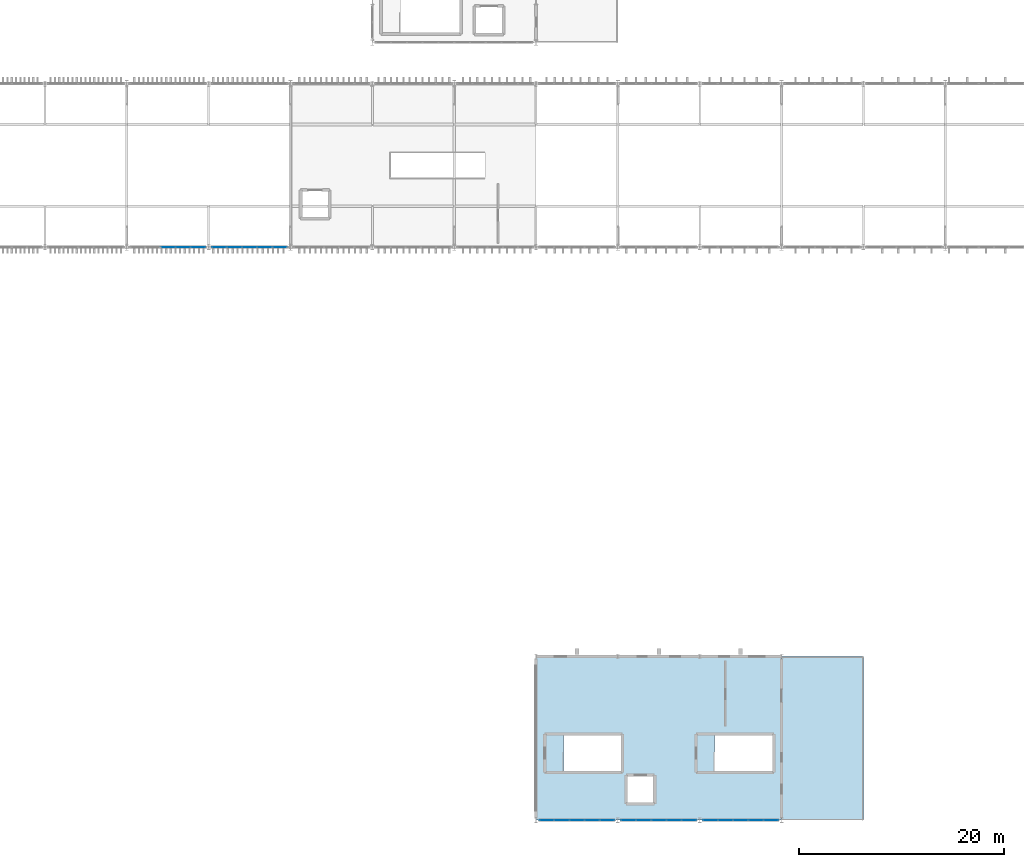
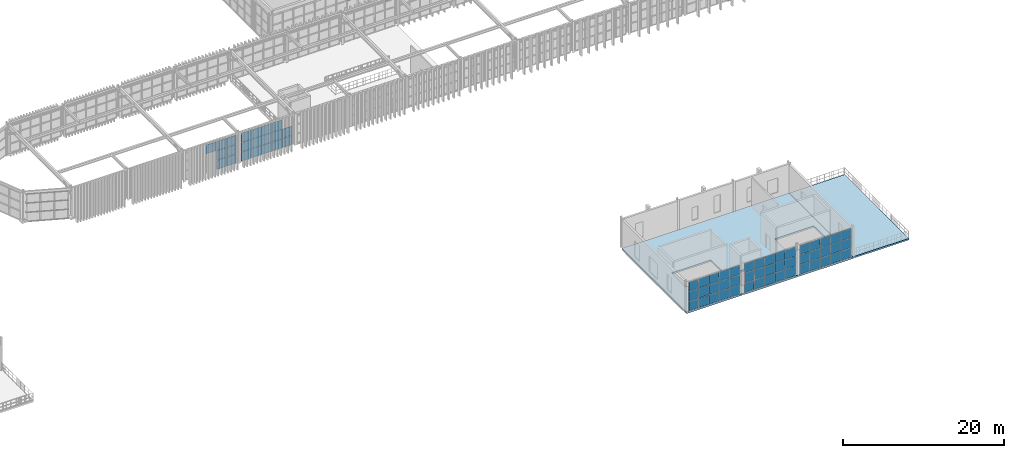
# One storey, part 37 of 61: 66 plates, 2 slabs, 5 elements without a shape of their own.
"""IFC4 building model written with IfcOpenShell, lengths in metres."""

from ifc_helpers import new_model, si_unit, direction, frame, origin, origin_2d, place, context, subcontext, project, spatial, polyline, rectangle, outline, extrude, material, layer, layer_set, type_object, element, aggregate, save


model = new_model("IFC4")

# Units and contexts
model_context = context("Model", 3, precision=1e-05, world=origin(), true_north=direction((0.0, 1.0)))
body_context = subcontext(model_context, "Body", "Model", "MODEL_VIEW")
ifc_project = project(units=[si_unit("LENGTHUNIT", "METRE"), si_unit("AREAUNIT", "SQUARE_METRE"), si_unit("VOLUMEUNIT", "CUBIC_METRE"), si_unit("PLANEANGLEUNIT", "RADIAN"), si_unit("MASSUNIT", "GRAM", prefix="KILO")], contexts=[model_context])

# Site, building, storey
site_placement = place(None, origin())
site = spatial("IfcSite", under=ifc_project, at=site_placement, CompositionType="ELEMENT")
building_placement = place(site_placement, origin())
building = spatial("IfcBuilding", under=site, at=building_placement, Name="Serraluz Foothill Cableway Terminal", CompositionType="ELEMENT")
storey_placement = place(building_placement, frame((0.0, 0.0, 15.0)))
storey = spatial("IfcBuildingStorey", under=building, at=storey_placement, Name="L03", CompositionType="ELEMENT", Elevation=15.0)

# Curtain wall, plates
ifc_material_1 = material(Name="Architectural bronze alloy C28000", Category="aluminium")
curtain_wall_type_1 = type_object("IfcCurtainWallType", Name="TYP-CW-680X420", PredefinedType="NOTDEFINED", material=ifc_material_1)
curtain_wall_1_placement = place(storey_placement, origin())
curtain_wall_1 = element("IfcCurtainWall", 1, at=curtain_wall_1_placement, inside=storey, type_object=curtain_wall_type_1, Name="Ribbed Glazed Curtain Wall CW-V3S-L03-96", PredefinedType="NOTDEFINED")
ifc_material_2 = material(Name="Laminated low-E safety glass", Category="glass")
ifc_layer_1 = layer(ifc_material_2, 0.031982421875, Name="Laminated low-E safety glass", Category="glass")
ifc_layer_set_1 = layer_set([ifc_layer_1], Name="Laminated low-E safety glass")
plate_type_1 = type_object("IfcPlateType", Name="TYP-CW-PNL-32", PredefinedType="CURTAIN_PANEL", material=ifc_layer_set_1)
plate_1_placement = place(storey_placement, frame((102.959716796875, 0.0, 0.06005859375), z_axis=(0.0, 0.0, 1.0), x_axis=(-1.0, 0.0, 0.0)))
plate_1 = element("IfcPlate", 2, at=plate_1_placement, type_object=plate_type_1, Name="CW-13 panel 1.1", PredefinedType="CURTAIN_PANEL", context=body_context, shape_type="SweptSolid", body=[
    extrude(rectangle(XDim=1.3974609375, YDim=0.031982421875, at=origin_2d()), origin(), (0.0, 0.0, 1.0), 1.409912109375),
])
plate_2_placement = place(storey_placement, frame((102.959716796875, 0.0, 1.530029296875), z_axis=(0.0, 0.0, 1.0), x_axis=(-1.0, 0.0, 0.0)))
plate_2 = element("IfcPlate", 3, at=plate_2_placement, type_object=plate_type_1, Name="CW-13 panel 1.2", PredefinedType="CURTAIN_PANEL", context=body_context, shape_type="SweptSolid", body=[
    extrude(rectangle(XDim=1.3974609375, YDim=0.031982421875, at=origin_2d()), origin(), (0.0, 0.0, 1.0), 1.43994140625),
])
plate_3_placement = place(storey_placement, frame((102.959716796875, 0.0, 3.0302734375), z_axis=(0.0, 0.0, 1.0), x_axis=(-1.0, 0.0, 0.0)))
plate_3 = element("IfcPlate", 4, at=plate_3_placement, type_object=plate_type_1, Name="CW-13 panel 1.3", PredefinedType="CURTAIN_PANEL", context=body_context, shape_type="SweptSolid", body=[
    extrude(rectangle(XDim=1.3974609375, YDim=0.031982421875, at=origin_2d()), origin(), (0.0, 0.0, 1.0), 1.409912109375),
])
plate_4_placement = place(storey_placement, frame((101.4873046875, 0.0, 0.06005859375), z_axis=(0.0, 0.0, 1.0), x_axis=(-1.0, 0.0, 0.0)))
plate_4 = element("IfcPlate", 5, at=plate_4_placement, type_object=plate_type_1, Name="CW-13 panel 2.1", PredefinedType="CURTAIN_PANEL", context=body_context, shape_type="SweptSolid", body=[
    extrude(rectangle(XDim=1.427490234375, YDim=0.031982421875, at=origin_2d()), origin(), (0.0, 0.0, 1.0), 1.409912109375),
])
plate_5_placement = place(storey_placement, frame((101.4873046875, 0.0, 1.530029296875), z_axis=(0.0, 0.0, 1.0), x_axis=(-1.0, 0.0, 0.0)))
plate_5 = element("IfcPlate", 6, at=plate_5_placement, type_object=plate_type_1, Name="CW-13 panel 2.2", PredefinedType="CURTAIN_PANEL", context=body_context, shape_type="SweptSolid", body=[
    extrude(rectangle(XDim=1.427490234375, YDim=0.031982421875, at=origin_2d()), origin(), (0.0, 0.0, 1.0), 1.43994140625),
])
plate_6_placement = place(storey_placement, frame((101.4873046875, 0.0, 3.0302734375), z_axis=(0.0, 0.0, 1.0), x_axis=(-1.0, 0.0, 0.0)))
plate_6 = element("IfcPlate", 7, at=plate_6_placement, type_object=plate_type_1, Name="CW-13 panel 2.3", PredefinedType="CURTAIN_PANEL", context=body_context, shape_type="SweptSolid", body=[
    extrude(rectangle(XDim=1.427490234375, YDim=0.031982421875, at=origin_2d()), origin(), (0.0, 0.0, 1.0), 1.409912109375),
])
plate_7_placement = place(storey_placement, frame((100.0, 0.0, 0.06005859375), z_axis=(0.0, 0.0, 1.0), x_axis=(-1.0, 0.0, 0.0)))
plate_7 = element("IfcPlate", 8, at=plate_7_placement, type_object=plate_type_1, Name="CW-13 panel 3.1", PredefinedType="CURTAIN_PANEL", context=body_context, shape_type="SweptSolid", body=[
    extrude(rectangle(XDim=1.427490234375, YDim=0.031982421875, at=origin_2d()), origin(), (0.0, 0.0, 1.0), 1.409912109375),
])
plate_8_placement = place(storey_placement, frame((100.0, 0.0, 1.530029296875), z_axis=(0.0, 0.0, 1.0), x_axis=(-1.0, 0.0, 0.0)))
plate_8 = element("IfcPlate", 9, at=plate_8_placement, type_object=plate_type_1, Name="CW-13 panel 3.2", PredefinedType="CURTAIN_PANEL", context=body_context, shape_type="SweptSolid", body=[
    extrude(rectangle(XDim=1.427490234375, YDim=0.031982421875, at=origin_2d()), origin(), (0.0, 0.0, 1.0), 1.43994140625),
])
plate_9_placement = place(storey_placement, frame((100.0, 0.0, 3.0302734375), z_axis=(0.0, 0.0, 1.0), x_axis=(-1.0, 0.0, 0.0)))
plate_9 = element("IfcPlate", 10, at=plate_9_placement, type_object=plate_type_1, Name="CW-13 panel 3.3", PredefinedType="CURTAIN_PANEL", context=body_context, shape_type="SweptSolid", body=[
    extrude(rectangle(XDim=1.427490234375, YDim=0.031982421875, at=origin_2d()), origin(), (0.0, 0.0, 1.0), 1.409912109375),
])
plate_10_placement = place(storey_placement, frame((98.5126953125, 0.0, 0.06005859375), z_axis=(0.0, 0.0, 1.0), x_axis=(-1.0, 0.0, 0.0)))
plate_10 = element("IfcPlate", 11, at=plate_10_placement, type_object=plate_type_1, Name="CW-13 panel 4.1", PredefinedType="CURTAIN_PANEL", context=body_context, shape_type="SweptSolid", body=[
    extrude(rectangle(XDim=1.427490234375, YDim=0.031982421875, at=origin_2d()), origin(), (0.0, 0.0, 1.0), 1.409912109375),
])
plate_11_placement = place(storey_placement, frame((98.5126953125, 0.0, 1.530029296875), z_axis=(0.0, 0.0, 1.0), x_axis=(-1.0, 0.0, 0.0)))
plate_11 = element("IfcPlate", 12, at=plate_11_placement, type_object=plate_type_1, Name="CW-13 panel 4.2", PredefinedType="CURTAIN_PANEL", context=body_context, shape_type="SweptSolid", body=[
    extrude(rectangle(XDim=1.427490234375, YDim=0.031982421875, at=origin_2d()), origin(), (0.0, 0.0, 1.0), 1.43994140625),
])
plate_12_placement = place(storey_placement, frame((98.5126953125, 0.0, 3.0302734375), z_axis=(0.0, 0.0, 1.0), x_axis=(-1.0, 0.0, 0.0)))
plate_12 = element("IfcPlate", 13, at=plate_12_placement, type_object=plate_type_1, Name="CW-13 panel 4.3", PredefinedType="CURTAIN_PANEL", context=body_context, shape_type="SweptSolid", body=[
    extrude(rectangle(XDim=1.427490234375, YDim=0.031982421875, at=origin_2d()), origin(), (0.0, 0.0, 1.0), 1.409912109375),
])
plate_13_placement = place(storey_placement, frame((97.040283203125, 0.0, 0.06005859375), z_axis=(0.0, 0.0, 1.0), x_axis=(-1.0, 0.0, 0.0)))
plate_13 = element("IfcPlate", 14, at=plate_13_placement, type_object=plate_type_1, Name="CW-13 panel 5.1", PredefinedType="CURTAIN_PANEL", context=body_context, shape_type="SweptSolid", body=[
    extrude(rectangle(XDim=1.3974609375, YDim=0.031982421875, at=origin_2d()), origin(), (0.0, 0.0, 1.0), 1.409912109375),
])
plate_14_placement = place(storey_placement, frame((97.040283203125, 0.0, 1.530029296875), z_axis=(0.0, 0.0, 1.0), x_axis=(-1.0, 0.0, 0.0)))
plate_14 = element("IfcPlate", 15, at=plate_14_placement, type_object=plate_type_1, Name="CW-13 panel 5.2", PredefinedType="CURTAIN_PANEL", context=body_context, shape_type="SweptSolid", body=[
    extrude(rectangle(XDim=1.3974609375, YDim=0.031982421875, at=origin_2d()), origin(), (0.0, 0.0, 1.0), 1.43994140625),
])
plate_15_placement = place(storey_placement, frame((97.040283203125, 0.0, 3.0302734375), z_axis=(0.0, 0.0, 1.0), x_axis=(-1.0, 0.0, 0.0)))
plate_15 = element("IfcPlate", 16, at=plate_15_placement, type_object=plate_type_1, Name="CW-13 panel 5.3", PredefinedType="CURTAIN_PANEL", context=body_context, shape_type="SweptSolid", body=[
    extrude(rectangle(XDim=1.3974609375, YDim=0.031982421875, at=origin_2d()), origin(), (0.0, 0.0, 1.0), 1.409912109375),
])
aggregate(curtain_wall_1, [plate_1, plate_2, plate_3, plate_4, plate_5, plate_6, plate_7, plate_8, plate_9, plate_10, plate_11, plate_12, plate_13, plate_14, plate_15])

curtain_wall_type_2 = type_object("IfcCurtainWallType", Name="TYP-CW-480X380", PredefinedType="NOTDEFINED", material=ifc_material_1)
curtain_wall_2_placement = place(storey_placement, origin())
curtain_wall_2 = element("IfcCurtainWall", 17, at=curtain_wall_2_placement, inside=storey, type_object=curtain_wall_type_2, Name="Ribbed Glazed Curtain Wall CW-V3S-L03-104", PredefinedType="NOTDEFINED")
plate_16_placement = place(storey_placement, frame((110.959716796875, 0.0, 0.06005859375), z_axis=(0.0, 0.0, 1.0), x_axis=(-1.0, 0.0, 0.0)))
plate_16 = element("IfcPlate", 18, at=plate_16_placement, type_object=plate_type_1, Name="CW-14 panel 1.1", PredefinedType="CURTAIN_PANEL", context=body_context, shape_type="SweptSolid", body=[
    extrude(rectangle(XDim=1.3974609375, YDim=0.031982421875, at=origin_2d()), origin(), (0.0, 0.0, 1.0), 1.409912109375),
])
plate_17_placement = place(storey_placement, frame((110.959716796875, 0.0, 1.530029296875), z_axis=(0.0, 0.0, 1.0), x_axis=(-1.0, 0.0, 0.0)))
plate_17 = element("IfcPlate", 19, at=plate_17_placement, type_object=plate_type_1, Name="CW-14 panel 1.2", PredefinedType="CURTAIN_PANEL", context=body_context, shape_type="SweptSolid", body=[
    extrude(rectangle(XDim=1.3974609375, YDim=0.031982421875, at=origin_2d()), origin(), (0.0, 0.0, 1.0), 1.43994140625),
])
plate_18_placement = place(storey_placement, frame((110.959716796875, 0.0, 3.0302734375), z_axis=(0.0, 0.0, 1.0), x_axis=(-1.0, 0.0, 0.0)))
plate_18 = element("IfcPlate", 20, at=plate_18_placement, type_object=plate_type_1, Name="CW-14 panel 1.3", PredefinedType="CURTAIN_PANEL", context=body_context, shape_type="SweptSolid", body=[
    extrude(rectangle(XDim=1.3974609375, YDim=0.031982421875, at=origin_2d()), origin(), (0.0, 0.0, 1.0), 1.409912109375),
])
plate_19_placement = place(storey_placement, frame((109.4873046875, 0.0, 0.06005859375), z_axis=(0.0, 0.0, 1.0), x_axis=(-1.0, 0.0, 0.0)))
plate_19 = element("IfcPlate", 21, at=plate_19_placement, type_object=plate_type_1, Name="CW-14 panel 2.1", PredefinedType="CURTAIN_PANEL", context=body_context, shape_type="SweptSolid", body=[
    extrude(rectangle(XDim=1.427490234375, YDim=0.031982421875, at=origin_2d()), origin(), (0.0, 0.0, 1.0), 1.409912109375),
])
plate_20_placement = place(storey_placement, frame((109.4873046875, 0.0, 1.530029296875), z_axis=(0.0, 0.0, 1.0), x_axis=(-1.0, 0.0, 0.0)))
plate_20 = element("IfcPlate", 22, at=plate_20_placement, type_object=plate_type_1, Name="CW-14 panel 2.2", PredefinedType="CURTAIN_PANEL", context=body_context, shape_type="SweptSolid", body=[
    extrude(rectangle(XDim=1.427490234375, YDim=0.031982421875, at=origin_2d()), origin(), (0.0, 0.0, 1.0), 1.43994140625),
])
plate_21_placement = place(storey_placement, frame((109.4873046875, 0.0, 3.0302734375), z_axis=(0.0, 0.0, 1.0), x_axis=(-1.0, 0.0, 0.0)))
plate_21 = element("IfcPlate", 23, at=plate_21_placement, type_object=plate_type_1, Name="CW-14 panel 2.3", PredefinedType="CURTAIN_PANEL", context=body_context, shape_type="SweptSolid", body=[
    extrude(rectangle(XDim=1.427490234375, YDim=0.031982421875, at=origin_2d()), origin(), (0.0, 0.0, 1.0), 1.409912109375),
])
plate_22_placement = place(storey_placement, frame((108.0, 0.0, 0.06005859375), z_axis=(0.0, 0.0, 1.0), x_axis=(-1.0, 0.0, 0.0)))
plate_22 = element("IfcPlate", 24, at=plate_22_placement, type_object=plate_type_1, Name="CW-14 panel 3.1", PredefinedType="CURTAIN_PANEL", context=body_context, shape_type="SweptSolid", body=[
    extrude(rectangle(XDim=1.427490234375, YDim=0.031982421875, at=origin_2d()), origin(), (0.0, 0.0, 1.0), 1.409912109375),
])
plate_23_placement = place(storey_placement, frame((108.0, 0.0, 1.530029296875), z_axis=(0.0, 0.0, 1.0), x_axis=(-1.0, 0.0, 0.0)))
plate_23 = element("IfcPlate", 25, at=plate_23_placement, type_object=plate_type_1, Name="CW-14 panel 3.2", PredefinedType="CURTAIN_PANEL", context=body_context, shape_type="SweptSolid", body=[
    extrude(rectangle(XDim=1.427490234375, YDim=0.031982421875, at=origin_2d()), origin(), (0.0, 0.0, 1.0), 1.43994140625),
])
plate_24_placement = place(storey_placement, frame((108.0, 0.0, 3.0302734375), z_axis=(0.0, 0.0, 1.0), x_axis=(-1.0, 0.0, 0.0)))
plate_24 = element("IfcPlate", 26, at=plate_24_placement, type_object=plate_type_1, Name="CW-14 panel 3.3", PredefinedType="CURTAIN_PANEL", context=body_context, shape_type="SweptSolid", body=[
    extrude(rectangle(XDim=1.427490234375, YDim=0.031982421875, at=origin_2d()), origin(), (0.0, 0.0, 1.0), 1.409912109375),
])
plate_25_placement = place(storey_placement, frame((106.5126953125, 0.0, 0.06005859375), z_axis=(0.0, 0.0, 1.0), x_axis=(-1.0, 0.0, 0.0)))
plate_25 = element("IfcPlate", 27, at=plate_25_placement, type_object=plate_type_1, Name="CW-14 panel 4.1", PredefinedType="CURTAIN_PANEL", context=body_context, shape_type="SweptSolid", body=[
    extrude(rectangle(XDim=1.427490234375, YDim=0.031982421875, at=origin_2d()), origin(), (0.0, 0.0, 1.0), 1.409912109375),
])
plate_26_placement = place(storey_placement, frame((106.5126953125, 0.0, 1.530029296875), z_axis=(0.0, 0.0, 1.0), x_axis=(-1.0, 0.0, 0.0)))
plate_26 = element("IfcPlate", 28, at=plate_26_placement, type_object=plate_type_1, Name="CW-14 panel 4.2", PredefinedType="CURTAIN_PANEL", context=body_context, shape_type="SweptSolid", body=[
    extrude(rectangle(XDim=1.427490234375, YDim=0.031982421875, at=origin_2d()), origin(), (0.0, 0.0, 1.0), 1.43994140625),
])
plate_27_placement = place(storey_placement, frame((106.5126953125, 0.0, 3.0302734375), z_axis=(0.0, 0.0, 1.0), x_axis=(-1.0, 0.0, 0.0)))
plate_27 = element("IfcPlate", 29, at=plate_27_placement, type_object=plate_type_1, Name="CW-14 panel 4.3", PredefinedType="CURTAIN_PANEL", context=body_context, shape_type="SweptSolid", body=[
    extrude(rectangle(XDim=1.427490234375, YDim=0.031982421875, at=origin_2d()), origin(), (0.0, 0.0, 1.0), 1.409912109375),
])
plate_28_placement = place(storey_placement, frame((105.040283203125, 0.0, 0.06005859375), z_axis=(0.0, 0.0, 1.0), x_axis=(-1.0, 0.0, 0.0)))
plate_28 = element("IfcPlate", 30, at=plate_28_placement, type_object=plate_type_1, Name="CW-14 panel 5.1", PredefinedType="CURTAIN_PANEL", context=body_context, shape_type="SweptSolid", body=[
    extrude(rectangle(XDim=1.3974609375, YDim=0.031982421875, at=origin_2d()), origin(), (0.0, 0.0, 1.0), 1.409912109375),
])
plate_29_placement = place(storey_placement, frame((105.040283203125, 0.0, 1.530029296875), z_axis=(0.0, 0.0, 1.0), x_axis=(-1.0, 0.0, 0.0)))
plate_29 = element("IfcPlate", 31, at=plate_29_placement, type_object=plate_type_1, Name="CW-14 panel 5.2", PredefinedType="CURTAIN_PANEL", context=body_context, shape_type="SweptSolid", body=[
    extrude(rectangle(XDim=1.3974609375, YDim=0.031982421875, at=origin_2d()), origin(), (0.0, 0.0, 1.0), 1.43994140625),
])
plate_30_placement = place(storey_placement, frame((105.040283203125, 0.0, 3.0302734375), z_axis=(0.0, 0.0, 1.0), x_axis=(-1.0, 0.0, 0.0)))
plate_30 = element("IfcPlate", 32, at=plate_30_placement, type_object=plate_type_1, Name="CW-14 panel 5.3", PredefinedType="CURTAIN_PANEL", context=body_context, shape_type="SweptSolid", body=[
    extrude(rectangle(XDim=1.3974609375, YDim=0.031982421875, at=origin_2d()), origin(), (0.0, 0.0, 1.0), 1.409912109375),
])
aggregate(curtain_wall_2, [plate_16, plate_17, plate_18, plate_19, plate_20, plate_21, plate_22, plate_23, plate_24, plate_25, plate_26, plate_27, plate_28, plate_29, plate_30])

curtain_wall_type_3 = type_object("IfcCurtainWallType", Name="TYP-CW-480X420", PredefinedType="NOTDEFINED", material=ifc_material_1)
curtain_wall_3_placement = place(storey_placement, origin())
curtain_wall_3 = element("IfcCurtainWall", 33, at=curtain_wall_3_placement, inside=storey, type_object=curtain_wall_type_3, Name="Ribbed Glazed Curtain Wall CW-V3S-L03-112", PredefinedType="NOTDEFINED")
plate_31_placement = place(storey_placement, frame((118.959716796875, 0.0, 0.06005859375), z_axis=(0.0, 0.0, 1.0), x_axis=(-1.0, 0.0, 0.0)))
plate_31 = element("IfcPlate", 34, at=plate_31_placement, type_object=plate_type_1, Name="CW-15 panel 1.1", PredefinedType="CURTAIN_PANEL", context=body_context, shape_type="SweptSolid", body=[
    extrude(rectangle(XDim=1.3974609375, YDim=0.031982421875, at=origin_2d()), origin(), (0.0, 0.0, 1.0), 1.409912109375),
])
plate_32_placement = place(storey_placement, frame((118.959716796875, 0.0, 1.530029296875), z_axis=(0.0, 0.0, 1.0), x_axis=(-1.0, 0.0, 0.0)))
plate_32 = element("IfcPlate", 35, at=plate_32_placement, type_object=plate_type_1, Name="CW-15 panel 1.2", PredefinedType="CURTAIN_PANEL", context=body_context, shape_type="SweptSolid", body=[
    extrude(rectangle(XDim=1.3974609375, YDim=0.031982421875, at=origin_2d()), origin(), (0.0, 0.0, 1.0), 1.43994140625),
])
plate_33_placement = place(storey_placement, frame((118.959716796875, 0.0, 3.0302734375), z_axis=(0.0, 0.0, 1.0), x_axis=(-1.0, 0.0, 0.0)))
plate_33 = element("IfcPlate", 36, at=plate_33_placement, type_object=plate_type_1, Name="CW-15 panel 1.3", PredefinedType="CURTAIN_PANEL", context=body_context, shape_type="SweptSolid", body=[
    extrude(rectangle(XDim=1.3974609375, YDim=0.031982421875, at=origin_2d()), origin(), (0.0, 0.0, 1.0), 1.409912109375),
])
plate_34_placement = place(storey_placement, frame((117.4873046875, 0.0, 0.06005859375), z_axis=(0.0, 0.0, 1.0), x_axis=(-1.0, 0.0, 0.0)))
plate_34 = element("IfcPlate", 37, at=plate_34_placement, type_object=plate_type_1, Name="CW-15 panel 2.1", PredefinedType="CURTAIN_PANEL", context=body_context, shape_type="SweptSolid", body=[
    extrude(rectangle(XDim=1.427490234375, YDim=0.031982421875, at=origin_2d()), origin(), (0.0, 0.0, 1.0), 1.409912109375),
])
plate_35_placement = place(storey_placement, frame((117.4873046875, 0.0, 1.530029296875), z_axis=(0.0, 0.0, 1.0), x_axis=(-1.0, 0.0, 0.0)))
plate_35 = element("IfcPlate", 38, at=plate_35_placement, type_object=plate_type_1, Name="CW-15 panel 2.2", PredefinedType="CURTAIN_PANEL", context=body_context, shape_type="SweptSolid", body=[
    extrude(rectangle(XDim=1.427490234375, YDim=0.031982421875, at=origin_2d()), origin(), (0.0, 0.0, 1.0), 1.43994140625),
])
plate_36_placement = place(storey_placement, frame((117.4873046875, 0.0, 3.0302734375), z_axis=(0.0, 0.0, 1.0), x_axis=(-1.0, 0.0, 0.0)))
plate_36 = element("IfcPlate", 39, at=plate_36_placement, type_object=plate_type_1, Name="CW-15 panel 2.3", PredefinedType="CURTAIN_PANEL", context=body_context, shape_type="SweptSolid", body=[
    extrude(rectangle(XDim=1.427490234375, YDim=0.031982421875, at=origin_2d()), origin(), (0.0, 0.0, 1.0), 1.409912109375),
])
plate_37_placement = place(storey_placement, frame((116.0, 0.0, 0.06005859375), z_axis=(0.0, 0.0, 1.0), x_axis=(-1.0, 0.0, 0.0)))
plate_37 = element("IfcPlate", 40, at=plate_37_placement, type_object=plate_type_1, Name="CW-15 panel 3.1", PredefinedType="CURTAIN_PANEL", context=body_context, shape_type="SweptSolid", body=[
    extrude(rectangle(XDim=1.427490234375, YDim=0.031982421875, at=origin_2d()), origin(), (0.0, 0.0, 1.0), 1.409912109375),
])
plate_38_placement = place(storey_placement, frame((116.0, 0.0, 1.530029296875), z_axis=(0.0, 0.0, 1.0), x_axis=(-1.0, 0.0, 0.0)))
plate_38 = element("IfcPlate", 41, at=plate_38_placement, type_object=plate_type_1, Name="CW-15 panel 3.2", PredefinedType="CURTAIN_PANEL", context=body_context, shape_type="SweptSolid", body=[
    extrude(rectangle(XDim=1.427490234375, YDim=0.031982421875, at=origin_2d()), origin(), (0.0, 0.0, 1.0), 1.43994140625),
])
plate_39_placement = place(storey_placement, frame((116.0, 0.0, 3.0302734375), z_axis=(0.0, 0.0, 1.0), x_axis=(-1.0, 0.0, 0.0)))
plate_39 = element("IfcPlate", 42, at=plate_39_placement, type_object=plate_type_1, Name="CW-15 panel 3.3", PredefinedType="CURTAIN_PANEL", context=body_context, shape_type="SweptSolid", body=[
    extrude(rectangle(XDim=1.427490234375, YDim=0.031982421875, at=origin_2d()), origin(), (0.0, 0.0, 1.0), 1.409912109375),
])
plate_40_placement = place(storey_placement, frame((114.5126953125, 0.0, 0.06005859375), z_axis=(0.0, 0.0, 1.0), x_axis=(-1.0, 0.0, 0.0)))
plate_40 = element("IfcPlate", 43, at=plate_40_placement, type_object=plate_type_1, Name="CW-15 panel 4.1", PredefinedType="CURTAIN_PANEL", context=body_context, shape_type="SweptSolid", body=[
    extrude(rectangle(XDim=1.427490234375, YDim=0.031982421875, at=origin_2d()), origin(), (0.0, 0.0, 1.0), 1.409912109375),
])
plate_41_placement = place(storey_placement, frame((114.5126953125, 0.0, 1.530029296875), z_axis=(0.0, 0.0, 1.0), x_axis=(-1.0, 0.0, 0.0)))
plate_41 = element("IfcPlate", 44, at=plate_41_placement, type_object=plate_type_1, Name="CW-15 panel 4.2", PredefinedType="CURTAIN_PANEL", context=body_context, shape_type="SweptSolid", body=[
    extrude(rectangle(XDim=1.427490234375, YDim=0.031982421875, at=origin_2d()), origin(), (0.0, 0.0, 1.0), 1.43994140625),
])
plate_42_placement = place(storey_placement, frame((114.5126953125, 0.0, 3.0302734375), z_axis=(0.0, 0.0, 1.0), x_axis=(-1.0, 0.0, 0.0)))
plate_42 = element("IfcPlate", 45, at=plate_42_placement, type_object=plate_type_1, Name="CW-15 panel 4.3", PredefinedType="CURTAIN_PANEL", context=body_context, shape_type="SweptSolid", body=[
    extrude(rectangle(XDim=1.427490234375, YDim=0.031982421875, at=origin_2d()), origin(), (0.0, 0.0, 1.0), 1.409912109375),
])
plate_43_placement = place(storey_placement, frame((113.040283203125, 0.0, 0.06005859375), z_axis=(0.0, 0.0, 1.0), x_axis=(-1.0, 0.0, 0.0)))
plate_43 = element("IfcPlate", 46, at=plate_43_placement, type_object=plate_type_1, Name="CW-15 panel 5.1", PredefinedType="CURTAIN_PANEL", context=body_context, shape_type="SweptSolid", body=[
    extrude(rectangle(XDim=1.3974609375, YDim=0.031982421875, at=origin_2d()), origin(), (0.0, 0.0, 1.0), 1.409912109375),
])
plate_44_placement = place(storey_placement, frame((113.040283203125, 0.0, 1.530029296875), z_axis=(0.0, 0.0, 1.0), x_axis=(-1.0, 0.0, 0.0)))
plate_44 = element("IfcPlate", 47, at=plate_44_placement, type_object=plate_type_1, Name="CW-15 panel 5.2", PredefinedType="CURTAIN_PANEL", context=body_context, shape_type="SweptSolid", body=[
    extrude(rectangle(XDim=1.3974609375, YDim=0.031982421875, at=origin_2d()), origin(), (0.0, 0.0, 1.0), 1.43994140625),
])
plate_45_placement = place(storey_placement, frame((113.040283203125, 0.0, 3.0302734375), z_axis=(0.0, 0.0, 1.0), x_axis=(-1.0, 0.0, 0.0)))
plate_45 = element("IfcPlate", 48, at=plate_45_placement, type_object=plate_type_1, Name="CW-15 panel 5.3", PredefinedType="CURTAIN_PANEL", context=body_context, shape_type="SweptSolid", body=[
    extrude(rectangle(XDim=1.3974609375, YDim=0.031982421875, at=origin_2d()), origin(), (0.0, 0.0, 1.0), 1.409912109375),
])
aggregate(curtain_wall_3, [plate_31, plate_32, plate_33, plate_34, plate_35, plate_36, plate_37, plate_38, plate_39, plate_40, plate_41, plate_42, plate_43, plate_44, plate_45])

curtain_wall_type_4 = type_object("IfcCurtainWallType", Name="TYP-CW-540X420", PredefinedType="NOTDEFINED", material=ifc_material_1)
curtain_wall_4_placement = place(storey_placement, origin())
curtain_wall_4 = element("IfcCurtainWall", 49, at=curtain_wall_4_placement, inside=storey, type_object=curtain_wall_type_4, Name="Ribbed Glazed Curtain Wall CW-V1S-L03-56", PredefinedType="NOTDEFINED")
ifc_material_3 = material(Name="Translucent ribbed laminated channel glass", Category="glass")
ifc_layer_2 = layer(ifc_material_3, 0.0419921875, Name="Translucent ribbed laminated channel glass", Category="glass")
ifc_layer_set_2 = layer_set([ifc_layer_2], Name="Translucent ribbed laminated channel glass")
plate_type_2 = type_object("IfcPlateType", Name="TYP-CW-PNL-42", PredefinedType="CURTAIN_PANEL", material=ifc_layer_set_2)
plate_46_placement = place(storey_placement, frame((62.9619140625, 56.0, 0.06005859375), z_axis=(0.0, 0.0, 1.0), x_axis=(-1.0, 0.0, 0.0)))
plate_46 = element("IfcPlate", 50, at=plate_46_placement, type_object=plate_type_2, Name="CW-10 panel 1.1", PredefinedType="CURTAIN_PANEL", context=body_context, shape_type="SweptSolid", body=[
    extrude(rectangle(XDim=1.393310546875, YDim=0.0419921875, at=origin_2d()), origin(), (0.0, 0.0, 1.0), 1.360107421875),
])
plate_47_placement = place(storey_placement, frame((62.9619140625, 56.0, 1.47998046875), z_axis=(0.0, 0.0, 1.0), x_axis=(-1.0, 0.0, 0.0)))
plate_47 = element("IfcPlate", 51, at=plate_47_placement, type_object=plate_type_2, Name="CW-10 panel 1.2", PredefinedType="CURTAIN_PANEL", context=body_context, shape_type="SweptSolid", body=[
    extrude(rectangle(XDim=1.393310546875, YDim=0.0419921875, at=origin_2d()), origin(), (0.0, 0.0, 1.0), 1.389892578125),
])
plate_48_placement = place(storey_placement, frame((62.9619140625, 56.0, 2.93017578125), z_axis=(0.0, 0.0, 1.0), x_axis=(-1.0, 0.0, 0.0)))
plate_48 = element("IfcPlate", 52, at=plate_48_placement, type_object=plate_type_2, Name="CW-10 panel 1.3", PredefinedType="CURTAIN_PANEL", context=body_context, shape_type="SweptSolid", body=[
    extrude(rectangle(XDim=1.393310546875, YDim=0.0419921875, at=origin_2d()), origin(), (0.0, 0.0, 1.0), 1.360107421875),
])
plate_49_placement = place(storey_placement, frame((61.49365234375, 56.0, 0.06005859375), z_axis=(0.0, 0.0, 1.0), x_axis=(-1.0, 0.0, 0.0)))
plate_49 = element("IfcPlate", 53, at=plate_49_placement, type_object=plate_type_2, Name="CW-10 panel 2.1", PredefinedType="CURTAIN_PANEL", context=body_context, shape_type="SweptSolid", body=[
    extrude(rectangle(XDim=1.423095703125, YDim=0.0419921875, at=origin_2d()), origin(), (0.0, 0.0, 1.0), 1.360107421875),
])
plate_50_placement = place(storey_placement, frame((61.49365234375, 56.0, 1.47998046875), z_axis=(0.0, 0.0, 1.0), x_axis=(-1.0, 0.0, 0.0)))
plate_50 = element("IfcPlate", 54, at=plate_50_placement, type_object=plate_type_2, Name="CW-10 panel 2.2", PredefinedType="CURTAIN_PANEL", context=body_context, shape_type="SweptSolid", body=[
    extrude(rectangle(XDim=1.423095703125, YDim=0.0419921875, at=origin_2d()), origin(), (0.0, 0.0, 1.0), 1.389892578125),
])
plate_51_placement = place(storey_placement, frame((61.49365234375, 56.0, 2.93017578125), z_axis=(0.0, 0.0, 1.0), x_axis=(-1.0, 0.0, 0.0)))
plate_51 = element("IfcPlate", 55, at=plate_51_placement, type_object=plate_type_2, Name="CW-10 panel 2.3", PredefinedType="CURTAIN_PANEL", context=body_context, shape_type="SweptSolid", body=[
    extrude(rectangle(XDim=1.423095703125, YDim=0.0419921875, at=origin_2d()), origin(), (0.0, 0.0, 1.0), 1.360107421875),
])
plate_52_placement = place(storey_placement, frame((60.010498046875, 56.0, 2.93017578125), z_axis=(0.0, 0.0, 1.0), x_axis=(-1.0, 0.0, 0.0)))
plate_52 = element("IfcPlate", 56, at=plate_52_placement, type_object=plate_type_2, Name="CW-10 panel 3.3", PredefinedType="CURTAIN_PANEL", context=body_context, shape_type="SweptSolid", body=[
    extrude(rectangle(XDim=1.423095703125, YDim=0.0419921875, at=origin_2d()), origin(), (0.0, 0.0, 1.0), 1.360107421875),
])
aggregate(curtain_wall_4, [plate_46, plate_47, plate_48, plate_49, plate_50, plate_51, plate_52])

curtain_wall_type_5 = type_object("IfcCurtainWallType", Name="TYP-CW-620X420", PredefinedType="NOTDEFINED", material=ifc_material_1)
curtain_wall_5_placement = place(storey_placement, origin())
curtain_wall_5 = element("IfcCurtainWall", 57, at=curtain_wall_5_placement, inside=storey, type_object=curtain_wall_type_5, Name="Ribbed Glazed Curtain Wall CW-V1S-L03-64", PredefinedType="NOTDEFINED")
plate_53_placement = place(storey_placement, frame((70.94091796875, 56.0, 0.06005859375), z_axis=(0.0, 0.0, 1.0), x_axis=(-1.0, 0.0, 0.0)))
plate_53 = element("IfcPlate", 58, at=plate_53_placement, type_object=plate_type_2, Name="CW-11 panel 1.1", PredefinedType="CURTAIN_PANEL", context=body_context, shape_type="SweptSolid", body=[
    extrude(rectangle(XDim=1.393310546875, YDim=0.0419921875, at=origin_2d()), origin(), (0.0, 0.0, 1.0), 1.360107421875),
])
plate_54_placement = place(storey_placement, frame((70.94091796875, 56.0, 1.47998046875), z_axis=(0.0, 0.0, 1.0), x_axis=(-1.0, 0.0, 0.0)))
plate_54 = element("IfcPlate", 59, at=plate_54_placement, type_object=plate_type_2, Name="CW-11 panel 1.2", PredefinedType="CURTAIN_PANEL", context=body_context, shape_type="SweptSolid", body=[
    extrude(rectangle(XDim=1.393310546875, YDim=0.0419921875, at=origin_2d()), origin(), (0.0, 0.0, 1.0), 1.389892578125),
])
plate_55_placement = place(storey_placement, frame((69.47265625, 56.0, 0.06005859375), z_axis=(0.0, 0.0, 1.0), x_axis=(-1.0, 0.0, 0.0)))
plate_55 = element("IfcPlate", 60, at=plate_55_placement, type_object=plate_type_2, Name="CW-11 panel 2.1", PredefinedType="CURTAIN_PANEL", context=body_context, shape_type="SweptSolid", body=[
    extrude(rectangle(XDim=1.423095703125, YDim=0.0419921875, at=origin_2d()), origin(), (0.0, 0.0, 1.0), 1.360107421875),
])
plate_56_placement = place(storey_placement, frame((69.47265625, 56.0, 1.47998046875), z_axis=(0.0, 0.0, 1.0), x_axis=(-1.0, 0.0, 0.0)))
plate_56 = element("IfcPlate", 61, at=plate_56_placement, type_object=plate_type_2, Name="CW-11 panel 2.2", PredefinedType="CURTAIN_PANEL", context=body_context, shape_type="SweptSolid", body=[
    extrude(rectangle(XDim=1.423095703125, YDim=0.0419921875, at=origin_2d()), origin(), (0.0, 0.0, 1.0), 1.389892578125),
])
plate_57_placement = place(storey_placement, frame((69.47265625, 56.0, 2.93017578125), z_axis=(0.0, 0.0, 1.0), x_axis=(-1.0, 0.0, 0.0)))
plate_57 = element("IfcPlate", 62, at=plate_57_placement, type_object=plate_type_2, Name="CW-11 panel 2.3", PredefinedType="CURTAIN_PANEL", context=body_context, shape_type="SweptSolid", body=[
    extrude(rectangle(XDim=1.423095703125, YDim=0.0419921875, at=origin_2d()), origin(), (0.0, 0.0, 1.0), 1.360107421875),
])
plate_58_placement = place(storey_placement, frame((67.989501953125, 56.0, 0.06005859375), z_axis=(0.0, 0.0, 1.0), x_axis=(-1.0, 0.0, 0.0)))
plate_58 = element("IfcPlate", 63, at=plate_58_placement, type_object=plate_type_2, Name="CW-11 panel 3.1", PredefinedType="CURTAIN_PANEL", context=body_context, shape_type="SweptSolid", body=[
    extrude(rectangle(XDim=1.423095703125, YDim=0.0419921875, at=origin_2d()), origin(), (0.0, 0.0, 1.0), 1.360107421875),
])
plate_59_placement = place(storey_placement, frame((67.989501953125, 56.0, 1.47998046875), z_axis=(0.0, 0.0, 1.0), x_axis=(-1.0, 0.0, 0.0)))
plate_59 = element("IfcPlate", 64, at=plate_59_placement, type_object=plate_type_2, Name="CW-11 panel 3.2", PredefinedType="CURTAIN_PANEL", context=body_context, shape_type="SweptSolid", body=[
    extrude(rectangle(XDim=1.423095703125, YDim=0.0419921875, at=origin_2d()), origin(), (0.0, 0.0, 1.0), 1.389892578125),
])
plate_60_placement = place(storey_placement, frame((67.989501953125, 56.0, 2.93017578125), z_axis=(0.0, 0.0, 1.0), x_axis=(-1.0, 0.0, 0.0)))
plate_60 = element("IfcPlate", 65, at=plate_60_placement, type_object=plate_type_2, Name="CW-11 panel 3.3", PredefinedType="CURTAIN_PANEL", context=body_context, shape_type="SweptSolid", body=[
    extrude(rectangle(XDim=1.423095703125, YDim=0.0419921875, at=origin_2d()), origin(), (0.0, 0.0, 1.0), 1.360107421875),
])
plate_61_placement = place(storey_placement, frame((66.50634765625, 56.0, 0.06005859375), z_axis=(0.0, 0.0, 1.0), x_axis=(-1.0, 0.0, 0.0)))
plate_61 = element("IfcPlate", 66, at=plate_61_placement, type_object=plate_type_2, Name="CW-11 panel 4.1", PredefinedType="CURTAIN_PANEL", context=body_context, shape_type="SweptSolid", body=[
    extrude(rectangle(XDim=1.423095703125, YDim=0.0419921875, at=origin_2d()), origin(), (0.0, 0.0, 1.0), 1.360107421875),
])
plate_62_placement = place(storey_placement, frame((66.50634765625, 56.0, 1.47998046875), z_axis=(0.0, 0.0, 1.0), x_axis=(-1.0, 0.0, 0.0)))
plate_62 = element("IfcPlate", 67, at=plate_62_placement, type_object=plate_type_2, Name="CW-11 panel 4.2", PredefinedType="CURTAIN_PANEL", context=body_context, shape_type="SweptSolid", body=[
    extrude(rectangle(XDim=1.423095703125, YDim=0.0419921875, at=origin_2d()), origin(), (0.0, 0.0, 1.0), 1.389892578125),
])
plate_63_placement = place(storey_placement, frame((66.50634765625, 56.0, 2.93017578125), z_axis=(0.0, 0.0, 1.0), x_axis=(-1.0, 0.0, 0.0)))
plate_63 = element("IfcPlate", 68, at=plate_63_placement, type_object=plate_type_2, Name="CW-11 panel 4.3", PredefinedType="CURTAIN_PANEL", context=body_context, shape_type="SweptSolid", body=[
    extrude(rectangle(XDim=1.423095703125, YDim=0.0419921875, at=origin_2d()), origin(), (0.0, 0.0, 1.0), 1.360107421875),
])
plate_64_placement = place(storey_placement, frame((65.0380859375, 56.0, 0.06005859375), z_axis=(0.0, 0.0, 1.0), x_axis=(-1.0, 0.0, 0.0)))
plate_64 = element("IfcPlate", 69, at=plate_64_placement, type_object=plate_type_2, Name="CW-11 panel 5.1", PredefinedType="CURTAIN_PANEL", context=body_context, shape_type="SweptSolid", body=[
    extrude(rectangle(XDim=1.393310546875, YDim=0.0419921875, at=origin_2d()), origin(), (0.0, 0.0, 1.0), 1.360107421875),
])
plate_65_placement = place(storey_placement, frame((65.0380859375, 56.0, 1.47998046875), z_axis=(0.0, 0.0, 1.0), x_axis=(-1.0, 0.0, 0.0)))
plate_65 = element("IfcPlate", 70, at=plate_65_placement, type_object=plate_type_2, Name="CW-11 panel 5.2", PredefinedType="CURTAIN_PANEL", context=body_context, shape_type="SweptSolid", body=[
    extrude(rectangle(XDim=1.393310546875, YDim=0.0419921875, at=origin_2d()), origin(), (0.0, 0.0, 1.0), 1.389892578125),
])
plate_66_placement = place(storey_placement, frame((65.0380859375, 56.0, 2.93017578125), z_axis=(0.0, 0.0, 1.0), x_axis=(-1.0, 0.0, 0.0)))
plate_66 = element("IfcPlate", 71, at=plate_66_placement, type_object=plate_type_2, Name="CW-11 panel 5.3", PredefinedType="CURTAIN_PANEL", context=body_context, shape_type="SweptSolid", body=[
    extrude(rectangle(XDim=1.393310546875, YDim=0.0419921875, at=origin_2d()), origin(), (0.0, 0.0, 1.0), 1.360107421875),
])
aggregate(curtain_wall_5, [plate_53, plate_54, plate_55, plate_56, plate_57, plate_58, plate_59, plate_60, plate_61, plate_62, plate_63, plate_64, plate_65, plate_66])

# Slabs
ifc_material_4 = material(Name="Concrete C28/35 (f'c 28 MPa)", Category="concrete")
ifc_layer_3 = layer(ifc_material_4, 0.25, Name="Concrete C28/35 (f'c 28 MPa)", Category="concrete")
ifc_layer_set_3 = layer_set([ifc_layer_3], Name="Concrete C28/35 (f'c 28 MPa)")
slab_type_1 = type_object("IfcSlabType", Name="TYP-SLB-FLR-250", PredefinedType="FLOOR", material=ifc_layer_set_3)
slab_1_placement = place(storey_placement, frame((0.0, 0.0, -0.25)))
element("IfcSlab", 72, at=slab_1_placement, inside=storey, type_object=slab_type_1, Name="Structural Slab SLB-L03-V3", PredefinedType="FLOOR", context=body_context, shape_type="SweptSolid", body=[
    extrude(outline(polyline([(96.0, 0.0), (120.0, 0.0), (120.0, 16.0), (96.0, 16.0), (96.0, 0.0)]), holes=[polyline([(98.659912109375, 4.800048828125), (104.31005859375, 4.800048828125), (104.31005859375, 8.280029296875), (98.659912109375, 8.280029296875), (98.659912109375, 4.800048828125)]), polyline([(113.4599609375, 4.800048828125), (119.110107421875, 4.800048828125), (119.110107421875, 8.280029296875), (113.4599609375, 8.280029296875), (113.4599609375, 4.800048828125)]), polyline([(104.800048828125, 1.60009765625), (107.60009765625, 1.60009765625), (107.60009765625, 4.39990234375), (104.800048828125, 4.39990234375), (104.800048828125, 1.60009765625)])]), origin(), (0.0, 0.0, 1.0), 0.25),
])
ifc_material_5 = material(Name="Precast concrete C40/50", Category="concrete")
ifc_layer_4 = layer(ifc_material_5, 0.235107421875, Name="Precast concrete C40/50", Category="concrete")
ifc_layer_set_4 = layer_set([ifc_layer_4], Name="Precast concrete C40/50")
slab_type_2 = type_object("IfcSlabType", Name="TYP-SLB-TER-235", PredefinedType="FLOOR", material=ifc_layer_set_4)
slab_2_placement = place(storey_placement, frame((0.0, 0.0, -0.235107421875)))
element("IfcSlab", 73, at=slab_2_placement, inside=storey, type_object=slab_type_2, Name="Exterior Terrace or Apron Slab TER-L03-V3", PredefinedType="FLOOR", context=body_context, shape_type="SweptSolid", body=[
    extrude(outline(polyline([(120.0, 0.0), (128.0, 0.0), (128.0, 16.0), (120.0, 16.0), (120.0, 0.0)])), origin(), (0.0, 0.0, 1.0), 0.235107421875),
])

save(model, "model.ifc")
